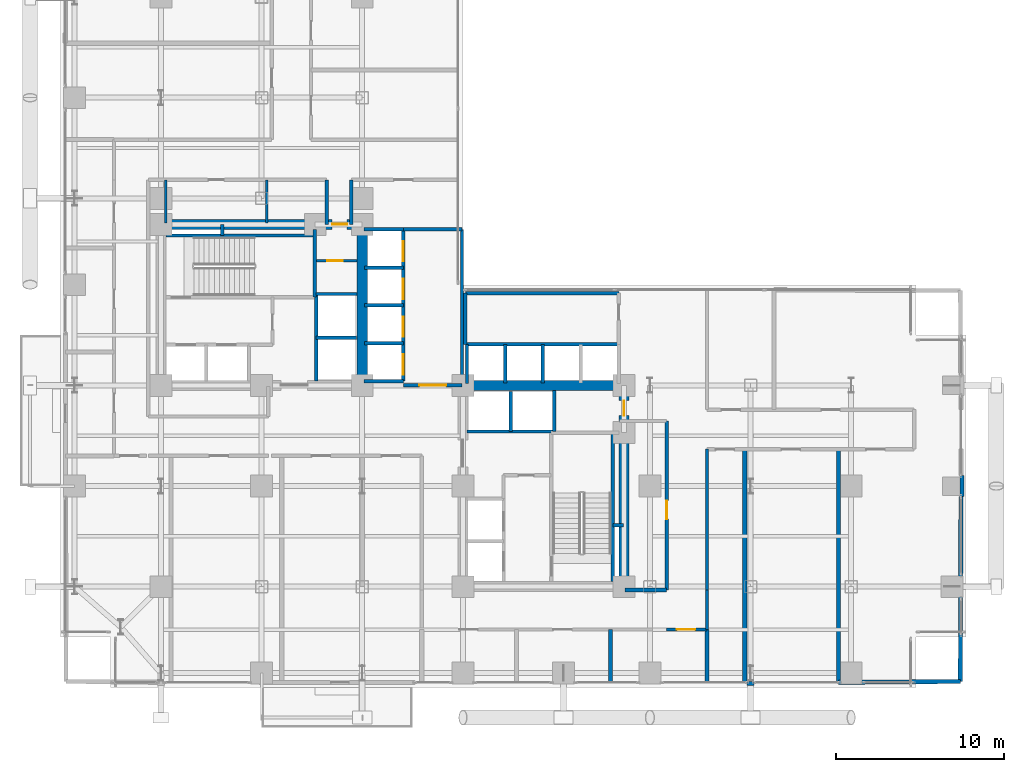
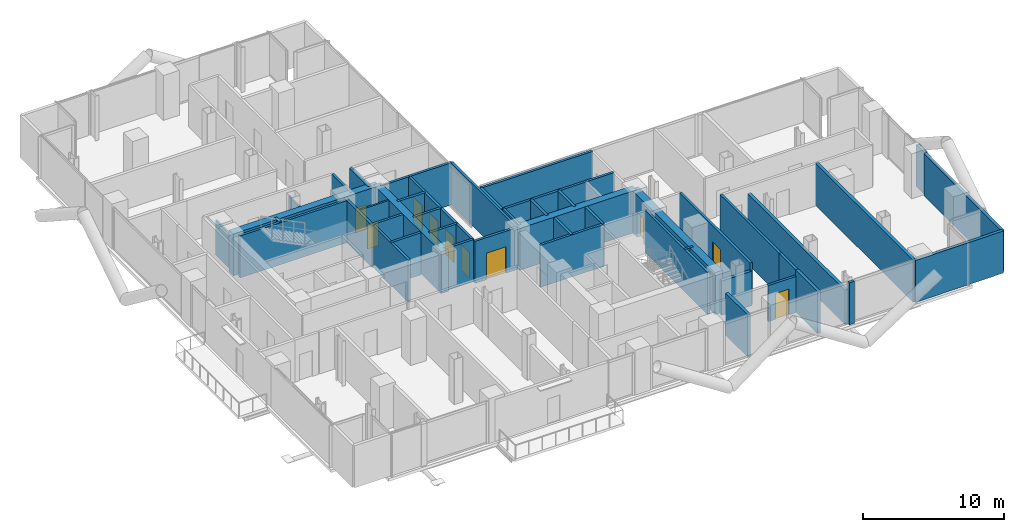
# One storey, part 21 of 25: 48 walls, 10 doors, 10 openings.
"""IFC4 building model written with IfcOpenShell, lengths in metres."""

from ifc_helpers import new_model, si_unit, direction, frame, frame_2d, origin, place, context, subcontext, project, spatial, rectangle, extrude, material, layer, layer_set, type_object, element, fill, save


model = new_model("IFC4")

# Units and contexts
model_context = context("Model", 3, precision=1e-05, world=origin(), true_north=direction((0.0, 1.0)))
body_context = subcontext(model_context, "Body", "Model", "MODEL_VIEW")
ifc_project = project(units=[si_unit("LENGTHUNIT", "METRE"), si_unit("AREAUNIT", "SQUARE_METRE"), si_unit("VOLUMEUNIT", "CUBIC_METRE"), si_unit("PLANEANGLEUNIT", "RADIAN"), si_unit("MASSUNIT", "GRAM", prefix="KILO"), si_unit("THERMODYNAMICTEMPERATUREUNIT", "KELVIN"), si_unit("POWERUNIT", "WATT")], contexts=[model_context])

# Site, building, storey
site_placement = place(None, origin())
site = spatial("IfcSite", under=ifc_project, at=site_placement, CompositionType="ELEMENT")
building_placement = place(site_placement, origin())
building = spatial("IfcBuilding", under=site, at=building_placement, Name="Svarakhadi Broadcast Tower", CompositionType="ELEMENT")
storey_placement = place(building_placement, frame((0.0, 0.0, 79.199951171875)))
storey = spatial("IfcBuildingStorey", under=building, at=storey_placement, Name="L18", CompositionType="ELEMENT", Elevation=79.199951171875)

# Wall, opening, door
ifc_material_1 = material(Name="Double-Stud Acoustic Studio Partition STC-62", Category="gypsum")
ifc_layer_1 = layer(ifc_material_1, 0.199951171875)
ifc_layer_set_1 = layer_set([ifc_layer_1], Name="Double-Stud Acoustic Studio Partition STC-62")
wall_type_1 = type_object("IfcWallType", Name="Wall_Acoust_200", PredefinedType="PARTITIONING", material=ifc_layer_set_1)
wall_1_placement = place(storey_placement, frame((36.14990234375, 5.800048828125, 0.0), z_axis=(0.0, 0.0, 1.0), x_axis=(0.0, 1.0, 0.0)))
wall_1 = element("IfcWall", 1, at=wall_1_placement, inside=storey, type_object=wall_type_1, Name="L18 Broadcast Corridor Wall", PredefinedType="PARTITIONING", context=body_context, shape_type="SweptSolid", body=[
    extrude(rectangle(XDim=10.079833984375, YDim=0.199951171875, at=frame_2d((5.0400390625, 0.0))), origin(), (0.0, 0.0, 1.0), 3.650146484375),
])
opening_1_placement = place(wall_1_placement, frame((4.22998046875, 0.0, 0.0)))
opening_1 = element("IfcOpeningElement", 2, at=opening_1_placement, cuts=wall_1, Name="Opening D-10", PredefinedType="OPENING", context=body_context, shape_type="SweptSolid", body=[
    extrude(rectangle(XDim=1.10009765625, YDim=2.25, at=frame_2d((0.550048828125, 1.125))), frame((0.0, 0.10986328125, 0.0), z_axis=(0.0, -1.0, 0.0), x_axis=(1.0, 0.0, 0.0)), (0.0, 0.0, 1.0), 0.219970703125),
])
ifc_material_2 = material(Name="Solid-Core Teak Veneer Acoustic Timber Leaf", Category="wood")
door_type_1 = type_object("IfcDoorType", Name="Door_Acoust_D10", OperationType="SINGLE_SWING_LEFT", PredefinedType="DOOR", material=ifc_material_2)
door_1_placement = place(opening_1_placement, origin())
door_1 = element("IfcDoor", 3, at=door_1_placement, inside=storey, type_object=door_type_1, Name="L18 Live Feed Monitoring Studio Door", OperationType="SINGLE_SWING_LEFT", OverallHeight=2.25, OverallWidth=1.10009765625, PredefinedType="DOOR", context=body_context, shape_type="SweptSolid", body=[
    extrude(rectangle(XDim=1.10009765625, YDim=2.25, at=frame_2d((0.550048828125, 1.125))), frame((0.0, 0.02490234375, 0.0), z_axis=(0.0, -1.0, 0.0), x_axis=(1.0, 0.0, 0.0)), (0.0, 0.0, 1.0), 0.050048828125),
])
fill(opening_1, door_1)

# Walls
wall_2_placement = place(storey_placement, frame((38.550048828125, 14.199951171875, 0.0), z_axis=(0.0, 0.0, 1.0), x_axis=(0.0, -1.0, 0.0)))
element("IfcWall", 4, at=wall_2_placement, inside=storey, type_object=wall_type_1, Name="L18 Broadcast Corridor Wall", PredefinedType="PARTITIONING", context=body_context, shape_type="SweptSolid", body=[
    extrude(rectangle(XDim=8.39990234375, YDim=0.199951171875, at=frame_2d((4.199951171875, 0.0))), origin(), (0.0, 0.0, 1.0), 3.650146484375),
])
wall_3_placement = place(storey_placement, frame((38.550048828125, 5.800048828125, 0.0), z_axis=(0.0, 0.0, 1.0), x_axis=(0.0, -1.0, 0.0)))
element("IfcWall", 5, at=wall_3_placement, inside=storey, type_object=wall_type_1, Name="L18 Broadcast Corridor Wall", PredefinedType="PARTITIONING", context=body_context, shape_type="SweptSolid", body=[
    extrude(rectangle(XDim=2.35009765625, YDim=0.199951171875, at=frame_2d((1.175048828125, 0.0))), origin(), (0.0, 0.0, 1.0), 3.650146484375),
])

# Wall, opening, door
wall_4_placement = place(storey_placement, frame((38.550048828125, 3.449951171875, 0.0), z_axis=(0.0, 0.0, 1.0), x_axis=(-1.0, 0.0, 0.0)))
wall_4 = element("IfcWall", 6, at=wall_4_placement, inside=storey, type_object=wall_type_1, Name="L18 Broadcast Corridor Wall", PredefinedType="PARTITIONING", context=body_context, shape_type="SweptSolid", body=[
    extrude(rectangle(XDim=2.400146484375, YDim=0.199951171875, at=frame_2d((1.2001953125, 0.0))), origin(), (0.0, 0.0, 1.0), 3.14208984375),
])
opening_2_placement = place(wall_4_placement, frame((0.699951171875, 0.0, 0.0)))
opening_2 = element("IfcOpeningElement", 7, at=opening_2_placement, cuts=wall_4, Name="Opening D-10", PredefinedType="OPENING", context=body_context, shape_type="SweptSolid", body=[
    extrude(rectangle(XDim=1.10009765625, YDim=2.25, at=frame_2d((0.550048828125, 1.125))), frame((0.0, 0.10986328125, 0.0), z_axis=(0.0, -1.0, 0.0), x_axis=(1.0, 0.0, 0.0)), (0.0, 0.0, 1.0), 0.219970703125),
])
door_2_placement = place(opening_2_placement, origin())
door_2 = element("IfcDoor", 8, at=door_2_placement, inside=storey, type_object=door_type_1, Name="L18 Broadcast Staff Refreshment Pantry Door", OperationType="SINGLE_SWING_LEFT", OverallHeight=2.25, OverallWidth=1.10009765625, PredefinedType="DOOR", context=body_context, shape_type="SweptSolid", body=[
    extrude(rectangle(XDim=1.10009765625, YDim=2.25, at=frame_2d((0.550048828125, 1.125))), frame((0.0, 0.02490234375, 0.0), z_axis=(0.0, -1.0, 0.0), x_axis=(1.0, 0.0, 0.0)), (0.0, 0.0, 1.0), 0.050048828125),
])
fill(opening_2, door_2)

# Walls
for number, where, z_axis, x_axis, name in (
    (9, (17.35009765625, 30.25, 0.0), (0.0, 0.0, 1.0), (0.0, -1.0, 0.0), "L18 Broadcast Corridor Wall"),
    (10, (15.8798828125, 27.580078125, 0.0), (0.0, 0.0, 1.0), (0.0, 1.0, 0.0), "L18 Broadcast Corridor Wall"),
):
    element("IfcWall", number, at=place(storey_placement, frame(where, z_axis=z_axis, x_axis=x_axis)), inside=storey, type_object=wall_type_1, Name=name, PredefinedType="PARTITIONING", context=body_context, shape_type="SweptSolid", body=[
        extrude(rectangle(XDim=2.669921875, YDim=0.199951171875, at=frame_2d((1.3349609375, 0.0))), origin(), (0.0, 0.0, 1.0), 3.650146484375),
    ])
ifc_layer_2 = layer(ifc_material_1, 0.25)
ifc_layer_set_2 = layer_set([ifc_layer_2], Name="Double-Stud Acoustic Studio Partition STC-62")
wall_type_2 = type_object("IfcWallType", Name="Wall_Acoust_250", PredefinedType="PARTITIONING", material=ifc_layer_set_2)
wall_5_placement = place(storey_placement, frame((40.800048828125, 0.300048828125, 0.0), z_axis=(0.0, 0.0, 1.0), x_axis=(0.0, 1.0, 0.0)))
element("IfcWall", 11, at=wall_5_placement, inside=storey, type_object=wall_type_2, Name="L18 Podcast Roundtable Studio Wall", PredefinedType="PARTITIONING", context=body_context, shape_type="SweptSolid", body=[
    extrude(rectangle(XDim=13.89990234375, YDim=0.25, at=frame_2d((6.949951171875, 0.0))), origin(), (0.0, 0.0, 1.0), 2.991943359375),
])
wall_6_placement = place(storey_placement, frame((46.39990234375, 0.300048828125, 0.0), z_axis=(0.0, 0.0, 1.0), x_axis=(0.0, 1.0, 0.0)))
element("IfcWall", 12, at=wall_6_placement, inside=storey, type_object=wall_type_2, Name="L18 Green-Screen Vodcast Room Wall", PredefinedType="PARTITIONING", context=body_context, shape_type="SweptSolid", body=[
    extrude(rectangle(XDim=13.89990234375, YDim=0.25, at=frame_2d((6.949951171875, 0.0))), origin(), (0.0, 0.0, 1.0), 3.650146484375),
])
wall_7_placement = place(storey_placement, frame((46.39990234375, 0.300048828125, 0.0), z_axis=(0.0, 0.0, 1.0), x_axis=(0.999976173168, 0.006903122154, 0.0)))
element("IfcWall", 13, at=wall_7_placement, inside=storey, type_object=wall_type_2, Name="L18 Guest Waiting Lounge Wall", PredefinedType="PARTITIONING", context=body_context, shape_type="SweptSolid", body=[
    extrude(rectangle(XDim=7.250244140625, YDim=0.25, at=frame_2d((3.625, 0.0))), origin(), (0.0, 0.0, 1.0), 3.650146484375),
])
wall_8_placement = place(storey_placement, frame((53.64990234375, 0.35009765625, 0.0), z_axis=(0.0, 0.0, 1.0), x_axis=(0.003606251025, 0.999993497456, 0.0)))
element("IfcWall", 14, at=wall_8_placement, inside=storey, type_object=wall_type_2, Name="L18 Guest Waiting Lounge Wall", PredefinedType="PARTITIONING", context=body_context, shape_type="SweptSolid", body=[
    extrude(rectangle(XDim=11.034912109375, YDim=0.25, at=frame_2d((5.517578125, 0.0))), origin(), (0.0, 0.0, 1.0), 3.650146484375),
])
for number, where, z_axis, x_axis, name in (
    (15, (32.800048828125, 0.300048828125, 0.0), (0.0, 0.0, 1.0), (0.0, 1.0, 0.0), "L18 Media Legal Review Office Wall"),
    (16, (38.550048828125, 0.300048828125, 0.0), (0.0, 0.0, 1.0), (0.0, 1.0, 0.0), "L18 Broadcast Staff Refreshment Pantry Wall"),
):
    element("IfcWall", number, at=place(storey_placement, frame(where, z_axis=z_axis, x_axis=x_axis)), inside=storey, type_object=wall_type_2, Name=name, PredefinedType="PARTITIONING", context=body_context, shape_type="SweptSolid", body=[
        extrude(rectangle(XDim=3.14990234375, YDim=0.25, at=frame_2d((1.574951171875, 0.0))), origin(), (0.0, 0.0, 1.0), 3.650146484375),
    ])
wall_9_placement = place(storey_placement, frame((33.64990234375, 5.800048828125, 0.0), z_axis=(0.0, 0.0, 1.0), x_axis=(1.0, 0.0, 0.0)))
element("IfcWall", 17, at=wall_9_placement, inside=storey, type_object=wall_type_2, Name="L18 Live Feed Monitoring Studio Wall", PredefinedType="PARTITIONING", context=body_context, shape_type="SweptSolid", body=[
    extrude(rectangle(XDim=2.5, YDim=0.25, at=frame_2d((1.25, 0.0))), origin(), (0.0, 0.0, 1.0), 2.991943359375),
])
ifc_material_3 = material(Name="Concrete C40/50 (IS 456 M50)", Category="concrete")
ifc_layer_3 = layer(ifc_material_3, 0.239990234375)
ifc_layer_set_3 = layer_set([ifc_layer_3], Name="Concrete C40/50 (IS 456 M50)")
wall_type_3 = type_object("IfcWallType", Name="Wall_Ext_240", PredefinedType="SOLIDWALL", material=ifc_layer_set_3)
wall_10_placement = place(storey_placement, frame((53.760009765625, 12.614990234375, 0.0), z_axis=(0.0, 0.0, 1.0), x_axis=(0.0, -1.0, 0.0)))
element("IfcWall", 18, at=wall_10_placement, inside=storey, type_object=wall_type_3, Name="L18 Perimeter Bronze Spandrel Closure Wall 04", PredefinedType="SOLIDWALL", context=body_context, shape_type="SweptSolid", body=[
    extrude(rectangle(XDim=1.22998046875, YDim=0.239990234375, at=frame_2d((0.614990234375, 0.0))), origin(), (0.0, 0.0, 1.0), 3.650146484375),
])
wall_11_placement = place(storey_placement, frame((41.364990234375, 0.239990234375, 0.0), z_axis=(0.0, 0.0, 1.0), x_axis=(-1.0, 0.0, 0.0)))
element("IfcWall", 19, at=wall_11_placement, inside=storey, type_object=wall_type_3, Name="L18 Perimeter Bronze Spandrel Closure Wall 05", PredefinedType="SOLIDWALL", context=body_context, shape_type="SweptSolid", body=[
    extrude(rectangle(XDim=0.429931640625, YDim=0.239990234375, at=frame_2d((0.21484375, 0.0))), origin(), (0.0, 0.0, 1.0), 3.650146484375),
])
ifc_layer_4 = layer(ifc_material_3, 0.199951171875)
ifc_layer_set_4 = layer_set([ifc_layer_4], Name="Concrete C40/50 (IS 456 M50)")
wall_type_4 = type_object("IfcWallType", Name="Wall_Fire_200", PredefinedType="SOLIDWALL", material=ifc_layer_set_4)
for number, where, z_axis, x_axis, name in (
    (20, (9.659912109375, 26.93994140625, 0.0), (0.0, 0.0, 1.0), (0.0, 1.0, 0.0), "L18 Wet Riser Shaft East Wall"),
    (21, (32.93994140625, 9.659912109375, 0.0), (0.0, 0.0, 1.0), (1.0, 0.0, 0.0), "L18 HV Busduct Riser Shaft North Wall"),
):
    element("IfcWall", number, at=place(storey_placement, frame(where, z_axis=z_axis, x_axis=x_axis)), inside=storey, type_object=wall_type_4, Name=name, PredefinedType="SOLIDWALL", context=body_context, shape_type="SweptSolid", body=[
        extrude(rectangle(XDim=0.64013671875, YDim=0.199951171875, at=frame_2d((0.320068359375, 0.0))), origin(), (0.0, 0.0, 1.0), 3.650146484375),
    ])

# Wall, opening, door
ifc_material_4 = material(Name="Autoclaved Aerated Concrete Blockwork 150 mm", Category="masonry")
ifc_layer_5 = layer(ifc_material_4, 0.14990234375)
ifc_layer_set_5 = layer_set([ifc_layer_5], Name="Autoclaved Aerated Concrete Blockwork 150 mm")
wall_type_5 = type_object("IfcWallType", Name="Wall_Part_150", PredefinedType="PARTITIONING", material=ifc_layer_set_5)
wall_12_placement = place(storey_placement, frame((15.280029296875, 25.43994140625, 0.0), z_axis=(0.0, 0.0, 1.0), x_axis=(1.0, 0.0, 0.0)))
wall_12 = element("IfcWall", 22, at=wall_12_placement, inside=storey, type_object=wall_type_5, Name="L18 West Core Service Split Wall", PredefinedType="PARTITIONING", context=body_context, shape_type="SweptSolid", body=[
    extrude(rectangle(XDim=2.419921875, YDim=0.14990234375, at=frame_2d((1.2099609375, 0.0))), origin(), (0.0, 0.0, 1.0), 3.650146484375),
])
opening_3_placement = place(wall_12_placement, frame((0.64990234375, 0.0, 0.0)))
opening_3 = element("IfcOpeningElement", 23, at=opening_3_placement, cuts=wall_12, Name="Opening D-04", PredefinedType="OPENING", context=body_context, shape_type="SweptSolid", body=[
    extrude(rectangle(XDim=0.89990234375, YDim=2.14990234375, at=frame_2d((0.449951171875, 1.074951171875))), frame((0.0, 0.0849609375, 0.0), z_axis=(0.0, -1.0, 0.0), x_axis=(1.0, 0.0, 0.0)), (0.0, 0.0, 1.0), 0.169921875),
])
ifc_material_5 = material(Name="Galvanised Powder-Coated Fire-Rated Steel Leaf", Category="steel")
door_type_2 = type_object("IfcDoorType", Name="Door_Fire_D04", OperationType="SINGLE_SWING_RIGHT", PredefinedType="DOOR", material=ifc_material_5)
door_3_placement = place(opening_3_placement, origin())
door_3 = element("IfcDoor", 24, at=door_3_placement, inside=storey, type_object=door_type_2, Name="L18 West Core Inner Store Door", OperationType="SINGLE_SWING_RIGHT", OverallHeight=2.14990234375, OverallWidth=0.89990234375, PredefinedType="DOOR", context=body_context, shape_type="SweptSolid", body=[
    extrude(rectangle(XDim=0.89990234375, YDim=2.14990234375, at=frame_2d((0.449951171875, 1.074951171875))), frame((0.0, 0.02490234375, 0.0), z_axis=(0.0, -1.0, 0.0), x_axis=(1.0, 0.0, 0.0)), (0.0, 0.0, 1.0), 0.050048828125),
])
fill(opening_3, door_3)

# Walls
for number, where, z_axis, x_axis, name in (
    (25, (6.300048828125, 27.679931640625, 0.0), (0.0, 0.0, 1.0), (0.0, 1.0, 0.0), "L18 Accessible Toilet WC Wall"),
    (26, (12.300048828125, 27.679931640625, 0.0), (0.0, 0.0, 1.0), (0.0, 1.0, 0.0), "L18 Accessible Toilet WC Wall"),
):
    element("IfcWall", number, at=place(storey_placement, frame(where, z_axis=z_axis, x_axis=x_axis)), inside=storey, type_object=wall_type_5, Name=name, PredefinedType="PARTITIONING", context=body_context, shape_type="SweptSolid", body=[
        extrude(rectangle(XDim=2.570068359375, YDim=0.14990234375, at=frame_2d((1.28515625, 0.0))), origin(), (0.0, 0.0, 1.0), 2.991943359375),
    ])
ifc_material_6 = material(Name="Concrete C50/60 (IS 456 M60)", Category="concrete")
ifc_layer_6 = layer(ifc_material_6, 0.199951171875)
ifc_layer_set_6 = layer_set([ifc_layer_6], Name="Concrete C50/60 (IS 456 M60)")
wall_type_6 = type_object("IfcWallType", Name="Wall_Shear_200", PredefinedType="SHEAR", material=ifc_layer_set_6)
wall_13_placement = place(storey_placement, frame((6.300048828125, 26.93994140625, 0.0), z_axis=(0.0, 0.0, 1.0), x_axis=(1.0, 0.0, 0.0)))
element("IfcWall", 27, at=wall_13_placement, inside=storey, type_object=wall_type_6, Name="L18 Stair ST-01 North RC Shaft Wall", PredefinedType="SHEAR", context=body_context, shape_type="SweptSolid", body=[
    extrude(rectangle(XDim=8.8798828125, YDim=0.199951171875, at=frame_2d((4.43994140625, 0.0))), origin(), (0.0, 0.0, 1.0), 3.650146484375),
])
wall_14_placement = place(storey_placement, frame((15.179931640625, 23.260009765625, 0.0), z_axis=(0.0, 0.0, 1.0), x_axis=(0.0, 1.0, 0.0)))
element("IfcWall", 28, at=wall_14_placement, inside=storey, type_object=wall_type_6, Name="L18 Stair ST-01 East RC Shaft Wall", PredefinedType="SHEAR", context=body_context, shape_type="SweptSolid", body=[
    extrude(rectangle(XDim=4.0400390625, YDim=0.199951171875, at=frame_2d((2.02001953125, 0.0))), origin(), (0.0, 0.0, 1.0), 3.650146484375),
])
wall_15_placement = place(storey_placement, frame((32.93994140625, 6.300048828125, 0.0), z_axis=(0.0, 0.0, 1.0), x_axis=(0.0, 1.0, 0.0)))
element("IfcWall", 29, at=wall_15_placement, inside=storey, type_object=wall_type_6, Name="L18 Stair ST-02 East RC Shaft Wall", PredefinedType="SHEAR", context=body_context, shape_type="SweptSolid", body=[
    extrude(rectangle(XDim=8.8798828125, YDim=0.199951171875, at=frame_2d((4.43994140625, 0.0))), origin(), (0.0, 0.0, 1.0), 3.650146484375),
])
wall_16_placement = place(storey_placement, frame((15.25, 18.25, 0.0), z_axis=(0.0, 0.0, 1.0), x_axis=(0.0, 1.0, 0.0)))
element("IfcWall", 30, at=wall_16_placement, inside=storey, type_object=wall_type_6, Name="L18 High-Rise Lift LF-13/14 West Shaft Wall", PredefinedType="SHEAR", context=body_context, shape_type="SweptSolid", body=[
    extrude(rectangle(XDim=5.199951171875, YDim=0.199951171875, at=frame_2d((2.60009765625, 0.0))), origin(), (0.0, 0.0, 1.0), 3.650146484375),
])
wall_17_placement = place(storey_placement, frame((15.25, 20.85009765625, 0.0), z_axis=(0.0, 0.0, 1.0), x_axis=(1.0, 0.0, 0.0)))
element("IfcWall", 31, at=wall_17_placement, inside=storey, type_object=wall_type_6, Name="L18 High-Rise Lift LF-13/14 Divider", PredefinedType="SHEAR", context=body_context, shape_type="SweptSolid", body=[
    extrude(rectangle(XDim=2.39990234375, YDim=0.199951171875, at=frame_2d((1.199951171875, 0.0))), origin(), (0.0, 0.0, 1.0), 3.650146484375),
])
wall_18_placement = place(storey_placement, frame((15.25, 23.449951171875, 0.0), z_axis=(0.0, 0.0, 1.0), x_axis=(1.0, 0.0, 0.0)))
element("IfcWall", 32, at=wall_18_placement, inside=storey, type_object=wall_type_6, Name="L18 High-Rise Lift LF-13/14 North Wall", PredefinedType="SHEAR", context=body_context, shape_type="SweptSolid", body=[
    extrude(rectangle(XDim=2.449951171875, YDim=0.199951171875, at=frame_2d((1.22509765625, 0.0))), origin(), (0.0, 0.0, 1.0), 3.650146484375),
])
wall_19_placement = place(storey_placement, frame((24.25, 15.25, 0.0), z_axis=(0.0, 0.0, 1.0), x_axis=(1.0, 0.0, 0.0)))
element("IfcWall", 33, at=wall_19_placement, inside=storey, type_object=wall_type_6, Name="L18 High-Rise Lift LF-15/16 South Shaft Wall", PredefinedType="SHEAR", context=body_context, shape_type="SweptSolid", body=[
    extrude(rectangle(XDim=5.199951171875, YDim=0.199951171875, at=frame_2d((2.60009765625, 0.0))), origin(), (0.0, 0.0, 1.0), 3.650146484375),
])
wall_20_placement = place(storey_placement, frame((26.85009765625, 15.25, 0.0), z_axis=(0.0, 0.0, 1.0), x_axis=(0.0, 1.0, 0.0)))
element("IfcWall", 34, at=wall_20_placement, inside=storey, type_object=wall_type_6, Name="L18 High-Rise Lift LF-15/16 Divider", PredefinedType="SHEAR", context=body_context, shape_type="SweptSolid", body=[
    extrude(rectangle(XDim=2.39990234375, YDim=0.199951171875, at=frame_2d((1.199951171875, 0.0))), origin(), (0.0, 0.0, 1.0), 3.650146484375),
])
wall_21_placement = place(storey_placement, frame((29.449951171875, 15.25, 0.0), z_axis=(0.0, 0.0, 1.0), x_axis=(0.0, 1.0, 0.0)))
element("IfcWall", 35, at=wall_21_placement, inside=storey, type_object=wall_type_6, Name="L18 High-Rise Lift LF-15/16 East Wall", PredefinedType="SHEAR", context=body_context, shape_type="SweptSolid", body=[
    extrude(rectangle(XDim=2.449951171875, YDim=0.199951171875, at=frame_2d((1.22509765625, 0.0))), origin(), (0.0, 0.0, 1.0), 3.650146484375),
])
for number, where, z_axis, x_axis, name in (
    (36, (18.10009765625, 27.300048828125, 0.0), (0.0, 0.0, 1.0), (1.0, 0.0, 0.0), "L18 Bank A North Shaft Wall"),
    (37, (18.10009765625, 18.25, 0.0), (0.0, 0.0, 1.0), (1.0, 0.0, 0.0), "L18 Bank A South Shaft Wall"),
):
    element("IfcWall", number, at=place(storey_placement, frame(where, z_axis=z_axis, x_axis=x_axis)), inside=storey, type_object=wall_type_6, Name=name, PredefinedType="SHEAR", context=body_context, shape_type="SweptSolid", body=[
        extrude(rectangle(XDim=2.349853515625, YDim=0.199951171875, at=frame_2d((1.1748046875, 0.0))), origin(), (0.0, 0.0, 1.0), 3.650146484375),
    ])

# Wall, openings, doors
wall_22_placement = place(storey_placement, frame((20.449951171875, 18.25, 0.0), z_axis=(0.0, 0.0, 1.0), x_axis=(0.0, 1.0, 0.0)))
wall_22 = element("IfcWall", 38, at=wall_22_placement, inside=storey, type_object=wall_type_6, Name="L18 Bank A East Landing Wall", PredefinedType="SHEAR", context=body_context, shape_type="SweptSolid", body=[
    extrude(rectangle(XDim=9.050048828125, YDim=0.199951171875, at=frame_2d((4.52490234375, 0.0))), origin(), (0.0, 0.0, 1.0), 3.650146484375),
])
opening_4_placement = place(wall_22_placement, frame((0.39990234375, 0.0, 0.0)))
opening_4 = element("IfcOpeningElement", 39, at=opening_4_placement, cuts=wall_22, Name="Opening LD-02", PredefinedType="OPENING", context=body_context, shape_type="SweptSolid", body=[
    extrude(rectangle(XDim=1.199951171875, YDim=2.199951171875, at=frame_2d((0.60009765625, 1.10009765625))), frame((0.0, 0.10986328125, 0.0), z_axis=(0.0, -1.0, 0.0), x_axis=(1.0, 0.0, 0.0)), (0.0, 0.0, 1.0), 0.219970703125),
])
opening_5_placement = place(wall_22_placement, frame((2.64990234375, 0.0, 0.0)))
opening_5 = element("IfcOpeningElement", 40, at=opening_5_placement, cuts=wall_22, Name="Opening LD-02", PredefinedType="OPENING", context=body_context, shape_type="SweptSolid", body=[
    extrude(rectangle(XDim=1.199951171875, YDim=2.199951171875, at=frame_2d((0.60009765625, 1.10009765625))), frame((0.0, 0.10986328125, 0.0), z_axis=(0.0, -1.0, 0.0), x_axis=(1.0, 0.0, 0.0)), (0.0, 0.0, 1.0), 0.219970703125),
])
opening_6_placement = place(wall_22_placement, frame((4.89990234375, 0.0, 0.0)))
opening_6 = element("IfcOpeningElement", 41, at=opening_6_placement, cuts=wall_22, Name="Opening LD-02", PredefinedType="OPENING", context=body_context, shape_type="SweptSolid", body=[
    extrude(rectangle(XDim=1.199951171875, YDim=2.199951171875, at=frame_2d((0.60009765625, 1.10009765625))), frame((0.0, 0.10986328125, 0.0), z_axis=(0.0, -1.0, 0.0), x_axis=(1.0, 0.0, 0.0)), (0.0, 0.0, 1.0), 0.219970703125),
])
opening_7_placement = place(wall_22_placement, frame((7.14990234375, 0.0, 0.0)))
opening_7 = element("IfcOpeningElement", 42, at=opening_7_placement, cuts=wall_22, Name="Opening LD-02", PredefinedType="OPENING", context=body_context, shape_type="SweptSolid", body=[
    extrude(rectangle(XDim=1.199951171875, YDim=2.199951171875, at=frame_2d((0.60009765625, 1.10009765625))), frame((0.0, 0.10986328125, 0.0), z_axis=(0.0, -1.0, 0.0), x_axis=(1.0, 0.0, 0.0)), (0.0, 0.0, 1.0), 0.219970703125),
])
door_type_3 = type_object("IfcDoorType", Name="Door_Lift_LD02", OperationType="SLIDING_TO_RIGHT", PredefinedType="DOOR", material=ifc_material_5)
door_4_placement = place(opening_4_placement, origin())
door_4 = element("IfcDoor", 43, at=door_4_placement, inside=storey, type_object=door_type_3, Name="L18 Low-Rise Lift LF-05 Landing Door", OperationType="SLIDING_TO_RIGHT", OverallHeight=2.199951171875, OverallWidth=1.199951171875, PredefinedType="DOOR", context=body_context, shape_type="SweptSolid", body=[
    extrude(rectangle(XDim=1.199951171875, YDim=2.199951171875, at=frame_2d((0.60009765625, 1.10009765625))), frame((0.0, 0.02490234375, 0.0), z_axis=(0.0, -1.0, 0.0), x_axis=(1.0, 0.0, 0.0)), (0.0, 0.0, 1.0), 0.050048828125),
])
fill(opening_4, door_4)
door_5_placement = place(opening_5_placement, origin())
door_5 = element("IfcDoor", 44, at=door_5_placement, inside=storey, type_object=door_type_3, Name="L18 Low-Rise Lift LF-06 Landing Door", OperationType="SLIDING_TO_RIGHT", OverallHeight=2.199951171875, OverallWidth=1.199951171875, PredefinedType="DOOR", context=body_context, shape_type="SweptSolid", body=[
    extrude(rectangle(XDim=1.199951171875, YDim=2.199951171875, at=frame_2d((0.60009765625, 1.10009765625))), frame((0.0, 0.02490234375, 0.0), z_axis=(0.0, -1.0, 0.0), x_axis=(1.0, 0.0, 0.0)), (0.0, 0.0, 1.0), 0.050048828125),
])
fill(opening_5, door_5)
door_6_placement = place(opening_6_placement, origin())
door_6 = element("IfcDoor", 45, at=door_6_placement, inside=storey, type_object=door_type_3, Name="L18 Low-Rise Lift LF-07 Landing Door", OperationType="SLIDING_TO_RIGHT", OverallHeight=2.199951171875, OverallWidth=1.199951171875, PredefinedType="DOOR", context=body_context, shape_type="SweptSolid", body=[
    extrude(rectangle(XDim=1.199951171875, YDim=2.199951171875, at=frame_2d((0.60009765625, 1.10009765625))), frame((0.0, 0.02490234375, 0.0), z_axis=(0.0, -1.0, 0.0), x_axis=(1.0, 0.0, 0.0)), (0.0, 0.0, 1.0), 0.050048828125),
])
fill(opening_6, door_6)
door_7_placement = place(opening_7_placement, origin())
door_7 = element("IfcDoor", 46, at=door_7_placement, inside=storey, type_object=door_type_3, Name="L18 Low-Rise Lift LF-08 Landing Door", OperationType="SLIDING_TO_RIGHT", OverallHeight=2.199951171875, OverallWidth=1.199951171875, PredefinedType="DOOR", context=body_context, shape_type="SweptSolid", body=[
    extrude(rectangle(XDim=1.199951171875, YDim=2.199951171875, at=frame_2d((0.60009765625, 1.10009765625))), frame((0.0, 0.02490234375, 0.0), z_axis=(0.0, -1.0, 0.0), x_axis=(1.0, 0.0, 0.0)), (0.0, 0.0, 1.0), 0.050048828125),
])
fill(opening_7, door_7)

# Walls
for number, where, z_axis, x_axis, name in (
    (47, (18.14990234375, 20.52001953125, 0.0), (0.0, 0.0, 1.0), (1.0, 0.0, 0.0), "L18 Bank A Divider"),
    (48, (18.14990234375, 22.77001953125, 0.0), (0.0, 0.0, 1.0), (1.0, 0.0, 0.0), "L18 Bank A Divider"),
    (49, (18.14990234375, 25.02001953125, 0.0), (0.0, 0.0, 1.0), (1.0, 0.0, 0.0), "L18 Bank A Divider"),
):
    element("IfcWall", number, at=place(storey_placement, frame(where, z_axis=z_axis, x_axis=x_axis)), inside=storey, type_object=wall_type_6, Name=name, PredefinedType="SHEAR", context=body_context, shape_type="SweptSolid", body=[
        extrude(rectangle(XDim=2.300048828125, YDim=0.199951171875, at=frame_2d((1.14990234375, 0.0))), origin(), (0.0, 0.0, 1.0), 3.650146484375),
    ])

# Wall, opening, door
wall_23_placement = place(storey_placement, frame((20.449951171875, 18.0, 0.0), z_axis=(0.0, 0.0, 1.0), x_axis=(1.0, 0.0, 0.0)))
wall_23 = element("IfcWall", 50, at=wall_23_placement, inside=storey, type_object=wall_type_6, Name="L18 Bank A Lift Hall South Wall", PredefinedType="SHEAR", context=body_context, shape_type="SweptSolid", body=[
    extrude(rectangle(XDim=3.5, YDim=0.199951171875, at=frame_2d((1.75, 0.0))), origin(), (0.0, 0.0, 1.0), 3.650146484375),
])
opening_8_placement = place(wall_23_placement, frame((0.949951171875, 0.0, 0.0)))
opening_8 = element("IfcOpeningElement", 51, at=opening_8_placement, cuts=wall_23, Name="Opening D-05", PredefinedType="OPENING", context=body_context, shape_type="SweptSolid", body=[
    extrude(rectangle(XDim=1.60009765625, YDim=2.300048828125, at=frame_2d((0.800048828125, 1.14990234375))), frame((0.0, 0.10986328125, 0.0), z_axis=(0.0, -1.0, 0.0), x_axis=(1.0, 0.0, 0.0)), (0.0, 0.0, 1.0), 0.219970703125),
])
ifc_material_7 = material(Name="Anodised Bronze Aluminium AA 6063-T6", Category="aluminium")
door_type_4 = type_object("IfcDoorType", Name="Door_Lobby_D05", OperationType="DOUBLE_DOOR_SLIDING", PredefinedType="DOOR", material=ifc_material_7)
door_8_placement = place(opening_8_placement, origin())
door_8 = element("IfcDoor", 52, at=door_8_placement, inside=storey, type_object=door_type_4, Name="L18 Low-Rise Lift Hall Corridor Door", OperationType="DOUBLE_DOOR_SLIDING", OverallHeight=2.300048828125, OverallWidth=1.60009765625, PredefinedType="DOOR", context=body_context, shape_type="SweptSolid", body=[
    extrude(rectangle(XDim=1.60009765625, YDim=2.300048828125, at=frame_2d((0.800048828125, 1.14990234375))), frame((0.0, 0.02490234375, 0.0), z_axis=(0.0, -1.0, 0.0), x_axis=(1.0, 0.0, 0.0)), (0.0, 0.0, 1.0), 0.050048828125),
])
fill(opening_8, door_8)

# Walls
wall_24_placement = place(storey_placement, frame((20.449951171875, 27.300048828125, 0.0), z_axis=(0.0, 0.0, 1.0), x_axis=(1.0, 0.0, 0.0)))
element("IfcWall", 53, at=wall_24_placement, inside=storey, type_object=wall_type_6, Name="L18 Bank A Lift Hall North Wall", PredefinedType="SHEAR", context=body_context, shape_type="SweptSolid", body=[
    extrude(rectangle(XDim=3.5, YDim=0.199951171875, at=frame_2d((1.75, 0.0))), origin(), (0.0, 0.0, 1.0), 3.650146484375),
])
wall_25_placement = place(storey_placement, frame((23.949951171875, 18.0, 0.0), z_axis=(0.0, 0.0, 1.0), x_axis=(0.0, 1.0, 0.0)))
element("IfcWall", 54, at=wall_25_placement, inside=storey, type_object=wall_type_6, Name="L18 Bank A Lift Hall East Wall", PredefinedType="SHEAR", context=body_context, shape_type="SweptSolid", body=[
    extrude(rectangle(XDim=9.300048828125, YDim=0.199951171875, at=frame_2d((4.64990234375, 0.0))), origin(), (0.0, 0.0, 1.0), 3.650146484375),
])
wall_26_placement = place(storey_placement, frame((24.25, 18.10009765625, 0.0), z_axis=(0.0, 0.0, 1.0), x_axis=(0.0, 1.0, 0.0)))
element("IfcWall", 55, at=wall_26_placement, inside=storey, type_object=wall_type_6, Name="L18 Bank B West Shaft Wall", PredefinedType="SHEAR", context=body_context, shape_type="SweptSolid", body=[
    extrude(rectangle(XDim=2.349853515625, YDim=0.199951171875, at=frame_2d((1.1748046875, 0.0))), origin(), (0.0, 0.0, 1.0), 3.650146484375),
])
wall_27_placement = place(storey_placement, frame((24.25, 20.449951171875, 0.0), z_axis=(0.0, 0.0, 1.0), x_axis=(1.0, 0.0, 0.0)))
element("IfcWall", 56, at=wall_27_placement, inside=storey, type_object=wall_type_6, Name="L18 Bank B North Landing Wall", PredefinedType="SHEAR", context=body_context, shape_type="SweptSolid", body=[
    extrude(rectangle(XDim=9.050048828125, YDim=0.199951171875, at=frame_2d((4.52490234375, 0.0))), origin(), (0.0, 0.0, 1.0), 3.650146484375),
])
for number, where, z_axis, x_axis, name in (
    (57, (26.52001953125, 18.14990234375, 0.0), (0.0, 0.0, 1.0), (0.0, 1.0, 0.0), "L18 Bank B Divider"),
    (58, (28.77001953125, 18.14990234375, 0.0), (0.0, 0.0, 1.0), (0.0, 1.0, 0.0), "L18 Bank B Divider"),
):
    element("IfcWall", number, at=place(storey_placement, frame(where, z_axis=z_axis, x_axis=x_axis)), inside=storey, type_object=wall_type_6, Name=name, PredefinedType="SHEAR", context=body_context, shape_type="SweptSolid", body=[
        extrude(rectangle(XDim=2.300048828125, YDim=0.199951171875, at=frame_2d((1.14990234375, 0.0))), origin(), (0.0, 0.0, 1.0), 3.650146484375),
    ])
wall_28_placement = place(storey_placement, frame((24.14990234375, 23.5, 0.0), z_axis=(0.0, 0.0, 1.0), x_axis=(1.0, 0.0, 0.0)))
element("IfcWall", 59, at=wall_28_placement, inside=storey, type_object=wall_type_6, Name="L18 Bank B Lift Hall North Wall", PredefinedType="SHEAR", context=body_context, shape_type="SweptSolid", body=[
    extrude(rectangle(XDim=9.150146484375, YDim=0.199951171875, at=frame_2d((4.5751953125, 0.0))), origin(), (0.0, 0.0, 1.0), 3.650146484375),
])
wall_29_placement = place(storey_placement, frame((24.14990234375, 20.449951171875, 0.0), z_axis=(0.0, 0.0, 1.0), x_axis=(0.0, 1.0, 0.0)))
element("IfcWall", 60, at=wall_29_placement, inside=storey, type_object=wall_type_6, Name="L18 Bank B Lift Hall West Wall", PredefinedType="SHEAR", context=body_context, shape_type="SweptSolid", body=[
    extrude(rectangle(XDim=3.050048828125, YDim=0.199951171875, at=frame_2d((1.52490234375, 0.0))), origin(), (0.0, 0.0, 1.0), 3.650146484375),
])

# Wall, opening, door
ifc_material_8 = material(Name="Concrete C60/75 (IS 456 M70)", Category="concrete")
ifc_layer_7 = layer(ifc_material_8, 0.60009765625)
ifc_layer_set_7 = layer_set([ifc_layer_7], Name="Concrete C60/75 (IS 456 M70)")
wall_type_7 = type_object("IfcWallType", Name="Wall_Shear_600", PredefinedType="SHEAR", material=ifc_layer_set_7)
wall_30_placement = place(storey_placement, frame((6.0, 27.60009765625, 0.0), z_axis=(0.0, 0.0, 1.0), x_axis=(1.0, 0.0, 0.0)))
wall_30 = element("IfcWall", 61, at=wall_30_placement, inside=storey, type_object=wall_type_7, Name="L18 West Core North Shear Wall", PredefinedType="SHEAR", context=body_context, shape_type="SweptSolid", body=[
    extrude(rectangle(XDim=12.0, YDim=0.60009765625, at=frame_2d((6.0, 0.0))), origin(), (0.0, 0.0, 1.0), 3.650146484375),
])
opening_9_placement = place(wall_30_placement, frame((10.199951171875, 0.0, 0.0)))
opening_9 = element("IfcOpeningElement", 62, at=opening_9_placement, cuts=wall_30, Name="Opening D-03", PredefinedType="OPENING", context=body_context, shape_type="SweptSolid", body=[
    extrude(rectangle(XDim=0.89990234375, YDim=2.14990234375, at=frame_2d((0.449951171875, 1.074951171875))), frame((0.0, 0.31005859375, 0.0), z_axis=(0.0, -1.0, 0.0), x_axis=(1.0, 0.0, 0.0)), (0.0, 0.0, 1.0), 0.6201171875),
])
door_type_5 = type_object("IfcDoorType", Name="Door_Fire_D03", OperationType="SINGLE_SWING_LEFT", PredefinedType="DOOR", material=ifc_material_5)
door_9_placement = place(opening_9_placement, origin())
door_9 = element("IfcDoor", 63, at=door_9_placement, inside=storey, type_object=door_type_5, Name="L18 West Core Outer Store Door", OperationType="SINGLE_SWING_LEFT", OverallHeight=2.14990234375, OverallWidth=0.89990234375, PredefinedType="DOOR", context=body_context, shape_type="SweptSolid", body=[
    extrude(rectangle(XDim=0.89990234375, YDim=2.14990234375, at=frame_2d((0.449951171875, 1.074951171875))), frame((0.0, 0.02490234375, 0.0), z_axis=(0.0, -1.0, 0.0), x_axis=(1.0, 0.0, 0.0)), (0.0, 0.0, 1.0), 0.050048828125),
])
fill(opening_9, door_9)

# Walls
for number, where, z_axis, x_axis, name in (
    (64, (18.0, 18.0, 0.0), (0.0, 0.0, 1.0), (0.0, 1.0, 0.0), "L18 West Core East Shear Wall"),
    (65, (24.0, 18.0, 0.0), (0.0, 0.0, 1.0), (1.0, 0.0, 0.0), "L18 East Core North Shear Wall"),
):
    element("IfcWall", number, at=place(storey_placement, frame(where, z_axis=z_axis, x_axis=x_axis)), inside=storey, type_object=wall_type_7, Name=name, PredefinedType="SHEAR", context=body_context, shape_type="SweptSolid", body=[
        extrude(rectangle(XDim=9.60009765625, YDim=0.60009765625, at=frame_2d((4.800048828125, 0.0))), origin(), (0.0, 0.0, 1.0), 3.650146484375),
    ])

# Wall, opening, door
wall_31_placement = place(storey_placement, frame((33.60009765625, 6.0, 0.0), z_axis=(0.0, 0.0, 1.0), x_axis=(0.0, 1.0, 0.0)))
wall_31 = element("IfcWall", 66, at=wall_31_placement, inside=storey, type_object=wall_type_7, Name="L18 East Core East Shear Wall", PredefinedType="SHEAR", context=body_context, shape_type="SweptSolid", body=[
    extrude(rectangle(XDim=12.0, YDim=0.60009765625, at=frame_2d((6.0, 0.0))), origin(), (0.0, 0.0, 1.0), 3.650146484375),
])
opening_10_placement = place(wall_31_placement, frame((10.199951171875, 0.0, 0.0)))
opening_10 = element("IfcOpeningElement", 67, at=opening_10_placement, cuts=wall_31, Name="Opening D-03", PredefinedType="OPENING", context=body_context, shape_type="SweptSolid", body=[
    extrude(rectangle(XDim=0.89990234375, YDim=2.14990234375, at=frame_2d((0.449951171875, 1.074951171875))), frame((0.0, 0.31005859375, 0.0), z_axis=(0.0, -1.0, 0.0), x_axis=(1.0, 0.0, 0.0)), (0.0, 0.0, 1.0), 0.6201171875),
])
door_10_placement = place(opening_10_placement, origin())
door_10 = element("IfcDoor", 68, at=door_10_placement, inside=storey, type_object=door_type_5, Name="L18 East Core Service Store Door", OperationType="SINGLE_SWING_LEFT", OverallHeight=2.14990234375, OverallWidth=0.89990234375, PredefinedType="DOOR", context=body_context, shape_type="SweptSolid", body=[
    extrude(rectangle(XDim=0.89990234375, YDim=2.14990234375, at=frame_2d((0.449951171875, 1.074951171875))), frame((0.0, 0.02490234375, 0.0), z_axis=(0.0, -1.0, 0.0), x_axis=(1.0, 0.0, 0.0)), (0.0, 0.0, 1.0), 0.050048828125),
])
fill(opening_10, door_10)

save(model, "model.ifc")
